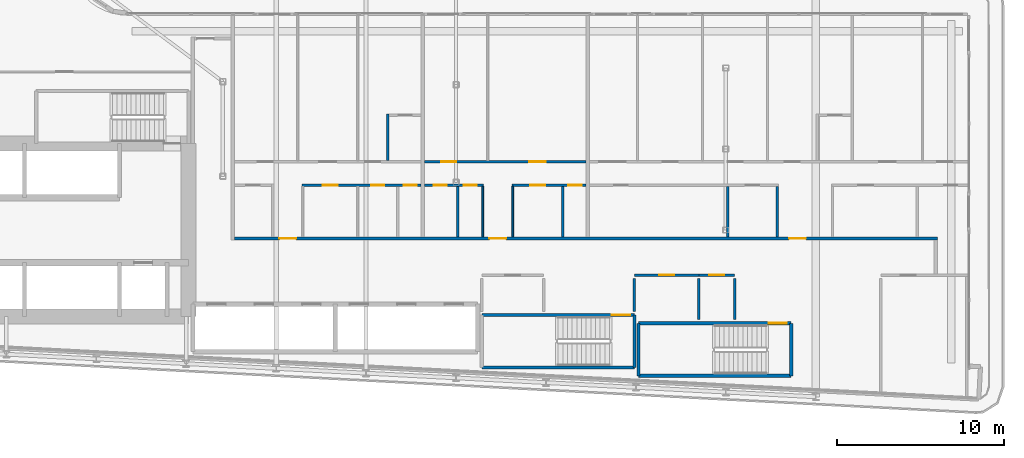
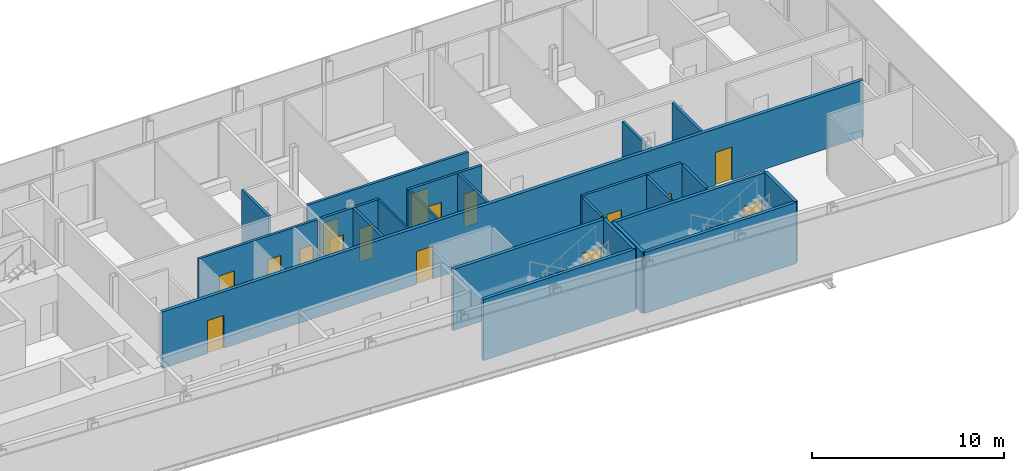
# One storey, part 15 of 27: 24 walls, 16 doors, 16 openings.
"""IFC4 building model written with IfcOpenShell, lengths in metres."""

from ifc_helpers import new_model, si_unit, direction, frame, frame_2d, origin, place, context, subcontext, project, spatial, rectangle, extrude, source, transform, mapped, material, layer, layer_set, type_object, element, fill, save


model = new_model("IFC4")

# Units and contexts
model_context = context("Model", 3, precision=1e-05, world=origin(), true_north=direction((0.0, 1.0)))
body_context = subcontext(model_context, "Body", "Model", "MODEL_VIEW")
ifc_project = project(units=[si_unit("LENGTHUNIT", "METRE"), si_unit("AREAUNIT", "SQUARE_METRE"), si_unit("VOLUMEUNIT", "CUBIC_METRE"), si_unit("PLANEANGLEUNIT", "RADIAN"), si_unit("MASSUNIT", "GRAM", prefix="KILO")], contexts=[model_context])

# Site, building, storey
site_placement = place(None, origin())
site = spatial("IfcSite", under=ifc_project, at=site_placement, CompositionType="ELEMENT")
building_placement = place(site_placement, origin())
building = spatial("IfcBuilding", under=site, at=building_placement, Name="Kheshtan School and Residences Tower", CompositionType="ELEMENT")
storey_placement = place(building_placement, frame((0.0, 0.0, 98.0)))
storey = spatial("IfcBuildingStorey", under=building, at=storey_placement, Name="L22", CompositionType="ELEMENT", Elevation=98.0)

# Wall, openings, doors
ifc_material_1 = material(Name="Gypsum board on steel studs with fire boards", Category="steel")
ifc_layer_1 = layer(ifc_material_1, 0.199951171875)
ifc_layer_set_1 = layer_set([ifc_layer_1], Name="Corridor wall 200")
wall_type_1 = type_object("IfcWallType", Name="Corridor wall 200", PredefinedType="PARTITIONING", material=ifc_layer_set_1)
wall_1_placement = place(storey_placement, frame((55.89990234375, 30.5, 0.0), z_axis=(0.0, 0.0, 1.0), x_axis=(1.0, 0.0, 0.0)))
wall_1 = element("IfcWall", 1, at=wall_1_placement, inside=storey, type_object=wall_type_1, Name="Partition L22-033", PredefinedType="PARTITIONING", context=body_context, shape_type="SweptSolid", body=[
    extrude(rectangle(XDim=42.2001953125, YDim=0.199951171875, at=frame_2d((21.10009765625, 0.0))), origin(), (0.0, 0.0, 1.0), 3.60009765625),
])
opening_1_placement = place(wall_1_placement, frame((2.699951171875, 0.0, 0.0)))
opening_1 = element("IfcOpeningElement", 2, at=opening_1_placement, cuts=wall_1, Name="Opening D21-005", PredefinedType="OPENING", context=body_context, shape_type="SweptSolid", body=[
    extrude(rectangle(XDim=1.0, YDim=2.10009765625, at=frame_2d((0.5, 1.050048828125))), frame((0.0, 0.10986328125, 0.0), z_axis=(0.0, -1.0, 0.0), x_axis=(1.0, 0.0, 0.0)), (0.0, 0.0, 1.0), 0.219970703125),
])
opening_2_placement = place(wall_1_placement, frame((15.300048828125, 0.0, 0.0)))
opening_2 = element("IfcOpeningElement", 3, at=opening_2_placement, cuts=wall_1, Name="Opening D21-012", PredefinedType="OPENING", context=body_context, shape_type="SweptSolid", body=[
    extrude(rectangle(XDim=1.0, YDim=2.10009765625, at=frame_2d((0.5, 1.050048828125))), frame((0.0, 0.10986328125, 0.0), z_axis=(0.0, -1.0, 0.0), x_axis=(1.0, 0.0, 0.0)), (0.0, 0.0, 1.0), 0.219970703125),
])
opening_3_placement = place(wall_1_placement, frame((33.300048828125, 0.0, 0.0)))
opening_3 = element("IfcOpeningElement", 4, at=opening_3_placement, cuts=wall_1, Name="Opening D21-023", PredefinedType="OPENING", context=body_context, shape_type="SweptSolid", body=[
    extrude(rectangle(XDim=1.0, YDim=2.10009765625, at=frame_2d((0.5, 1.050048828125))), frame((0.0, 0.10986328125, 0.0), z_axis=(0.0, -1.0, 0.0), x_axis=(1.0, 0.0, 0.0)), (0.0, 0.0, 1.0), 0.219970703125),
])
ifc_material_2 = material(Name="Steel-framed fire-resisting door leaf", Category="steel")
door_type_1 = type_object("IfcDoorType", Name="Fire door FD30S 1000 x 2100", OperationType="SINGLE_SWING_LEFT", PredefinedType="DOOR", material=ifc_material_2)
shared_shape_1 = source(origin(), body_context, "Body", "SweptSolid", [
    extrude(rectangle(XDim=1.0, YDim=2.10009765625, at=frame_2d((0.5, 1.050048828125))), frame((0.0, 0.02490234375, 0.0), z_axis=(0.0, -1.0, 0.0), x_axis=(1.0, 0.0, 0.0)), (0.0, 0.0, 1.0), 0.050048828125),
])
door_1_placement = place(opening_1_placement, origin())
door_1 = element("IfcDoor", 5, at=door_1_placement, inside=storey, type_object=door_type_1, Name="Door D21-005", OperationType="SINGLE_SWING_LEFT", OverallHeight=2.10009765625, OverallWidth=1.0, PredefinedType="DOOR", context=body_context, shape_type="MappedRepresentation", body=[
    mapped(shared_shape_1, transform((0.0, 0.0, 0.0), x_axis=(1.0, 0.0, 0.0), y_axis=(0.0, 1.0, 0.0), z_axis=(0.0, 0.0, 1.0), scale=1.0)),
])
fill(opening_1, door_1)
door_2_placement = place(opening_2_placement, origin())
door_2 = element("IfcDoor", 6, at=door_2_placement, inside=storey, type_object=door_type_1, Name="Door D21-012", OperationType="SINGLE_SWING_LEFT", OverallHeight=2.10009765625, OverallWidth=1.0, PredefinedType="DOOR", context=body_context, shape_type="MappedRepresentation", body=[
    mapped(shared_shape_1, transform((0.0, 0.0, 0.0), x_axis=(1.0, 0.0, 0.0), y_axis=(0.0, 1.0, 0.0), z_axis=(0.0, 0.0, 1.0), scale=1.0)),
])
fill(opening_2, door_2)
door_3_placement = place(opening_3_placement, origin())
door_3 = element("IfcDoor", 7, at=door_3_placement, inside=storey, type_object=door_type_1, Name="Door D21-023", OperationType="SINGLE_SWING_LEFT", OverallHeight=2.10009765625, OverallWidth=1.0, PredefinedType="DOOR", context=body_context, shape_type="MappedRepresentation", body=[
    mapped(shared_shape_1, transform((0.0, 0.0, 0.0), x_axis=(1.0, 0.0, 0.0), y_axis=(0.0, 1.0, 0.0), z_axis=(0.0, 0.0, 1.0), scale=1.0)),
])
fill(opening_3, door_3)

# Walls
ifc_material_3 = material(Name="Gypsum board on steel studs", Category="steel")
ifc_layer_2 = layer(ifc_material_3, 0.10009765625)
ifc_layer_set_2 = layer_set([ifc_layer_2], Name="Gypsum partition 100")
wall_type_2 = type_object("IfcWallType", Name="Gypsum partition 100", PredefinedType="PARTITIONING", material=ifc_layer_set_2)
for number, where, z_axis, x_axis, name in (
    (8, (70.800048828125, 30.60009765625, 0.0), (0.0, 0.0, 1.0), (0.0, 1.0, 0.0), "Partition L22-049"),
    (9, (72.60009765625, 30.60009765625, 0.0), (0.0, 0.0, 1.0), (0.0, 1.0, 0.0), "Partition L22-052"),
):
    element("IfcWall", number, at=place(storey_placement, frame(where, z_axis=z_axis, x_axis=x_axis)), inside=storey, type_object=wall_type_2, Name=name, PredefinedType="PARTITIONING", context=body_context, shape_type="SweptSolid", body=[
        extrude(rectangle(XDim=3.02490234375, YDim=0.10009765625, at=frame_2d((1.512451171875, 0.0))), origin(), (0.0, 0.0, 1.0), 3.60009765625),
    ])

# Wall, opening, door
ifc_material_4 = material(Name="Fire-board shaft wall system")
ifc_layer_3 = layer(ifc_material_4, 0.14990234375)
ifc_layer_set_3 = layer_set([ifc_layer_3], Name="Service room wall 150")
wall_type_3 = type_object("IfcWallType", Name="Service room wall 150", PredefinedType="PARTITIONING", material=ifc_layer_set_3)
wall_2_placement = place(storey_placement, frame((79.909912109375, 28.300048828125, 0.0), z_axis=(0.0, 0.0, 1.0), x_axis=(1.0, 0.0, 0.0)))
wall_2 = element("IfcWall", 10, at=wall_2_placement, inside=storey, type_object=wall_type_3, Name="Service room wall", PredefinedType="PARTITIONING", context=body_context, shape_type="SweptSolid", body=[
    extrude(rectangle(XDim=3.864990234375, YDim=0.14990234375, at=frame_2d((1.9326171875, 0.0))), origin(), (0.0, 0.0, 1.0), 3.89990234375),
])
opening_4_placement = place(wall_2_placement, frame((1.48193359375, 0.0, 0.0)))
opening_4 = element("IfcOpeningElement", 11, at=opening_4_placement, cuts=wall_2, Name="Opening SR90", PredefinedType="OPENING", context=body_context, shape_type="SweptSolid", body=[
    extrude(rectangle(XDim=0.89990234375, YDim=2.199951171875, at=frame_2d((0.449951171875, 1.10009765625))), frame((0.0, 0.0849609375, 0.0), z_axis=(0.0, -1.0, 0.0), x_axis=(1.0, 0.0, 0.0)), (0.0, 0.0, 1.0), 0.169921875),
])
ifc_material_5 = material(Name="Steel door leaf, galvanised", Category="steel")
door_type_2 = type_object("IfcDoorType", Name="Service room door 900 steel 90 min", OperationType="SINGLE_SWING_LEFT", PredefinedType="DOOR", material=ifc_material_5)
shared_shape_2 = source(origin(), body_context, "Body", "SweptSolid", [
    extrude(rectangle(XDim=0.89990234375, YDim=2.199951171875, at=frame_2d((0.449951171875, 1.10009765625))), frame((0.0, 0.02490234375, 0.0), z_axis=(0.0, -1.0, 0.0), x_axis=(1.0, 0.0, 0.0)), (0.0, 0.0, 1.0), 0.050048828125),
])
door_4_placement = place(opening_4_placement, origin())
door_4 = element("IfcDoor", 12, at=door_4_placement, inside=storey, type_object=door_type_2, Name="Service room door", OperationType="SINGLE_SWING_RIGHT", OverallHeight=2.199951171875, OverallWidth=0.89990234375, PredefinedType="DOOR", context=body_context, shape_type="MappedRepresentation", body=[
    mapped(shared_shape_2, transform((0.0, 0.0, 0.0), x_axis=(1.0, 0.0, 0.0), y_axis=(0.0, 1.0, 0.0), z_axis=(0.0, 0.0, 1.0), scale=1.0)),
])
fill(opening_4, door_4)

# Walls
wall_3_placement = place(storey_placement, frame((79.909912109375, 26.1201171875, 0.0), z_axis=(0.0, 0.0, 1.0), x_axis=(0.0, 1.0, 0.0)))
element("IfcWall", 13, at=wall_3_placement, inside=storey, type_object=wall_type_3, Name="Service room wall", PredefinedType="PARTITIONING", context=body_context, shape_type="SweptSolid", body=[
    extrude(rectangle(XDim=1.98486328125, YDim=0.14990234375, at=frame_2d((0.992431640625, 0.0))), origin(), (0.0, 0.0, 1.0), 3.89990234375),
])
wall_4_placement = place(storey_placement, frame((83.77490234375, 25.6201171875, 0.0), z_axis=(0.0, 0.0, 1.0), x_axis=(0.0, 1.0, 0.0)))
element("IfcWall", 14, at=wall_4_placement, inside=storey, type_object=wall_type_3, Name="Service room wall", PredefinedType="PARTITIONING", context=body_context, shape_type="SweptSolid", body=[
    extrude(rectangle(XDim=2.48486328125, YDim=0.14990234375, at=frame_2d((1.242431640625, 0.0))), origin(), (0.0, 0.0, 1.0), 3.89990234375),
])

# Wall, opening, door
wall_5_placement = place(storey_placement, frame((83.77490234375, 28.300048828125, 0.0), z_axis=(0.0, 0.0, 1.0), x_axis=(1.0, 0.0, 0.0)))
wall_5 = element("IfcWall", 15, at=wall_5_placement, inside=storey, type_object=wall_type_3, Name="Service room wall", PredefinedType="PARTITIONING", context=body_context, shape_type="SweptSolid", body=[
    extrude(rectangle(XDim=2.14501953125, YDim=0.14990234375, at=frame_2d((1.072509765625, 0.0))), origin(), (0.0, 0.0, 1.0), 3.89990234375),
])
opening_5_placement = place(wall_5_placement, frame((0.623046875, 0.0, 0.0)))
opening_5 = element("IfcOpeningElement", 16, at=opening_5_placement, cuts=wall_5, Name="Opening SR90", PredefinedType="OPENING", context=body_context, shape_type="SweptSolid", body=[
    extrude(rectangle(XDim=0.89990234375, YDim=2.199951171875, at=frame_2d((0.449951171875, 1.10009765625))), frame((0.0, 0.0849609375, 0.0), z_axis=(0.0, -1.0, 0.0), x_axis=(1.0, 0.0, 0.0)), (0.0, 0.0, 1.0), 0.169921875),
])
door_5_placement = place(opening_5_placement, origin())
door_5 = element("IfcDoor", 17, at=door_5_placement, inside=storey, type_object=door_type_2, Name="Service room door", OperationType="SINGLE_SWING_LEFT", OverallHeight=2.199951171875, OverallWidth=0.89990234375, PredefinedType="DOOR", context=body_context, shape_type="MappedRepresentation", body=[
    mapped(shared_shape_2, transform((0.0, 0.0, 0.0), x_axis=(1.0, 0.0, 0.0), y_axis=(0.0, 1.0, 0.0), z_axis=(0.0, 0.0, 1.0), scale=1.0)),
])
fill(opening_5, door_5)

# Walls
wall_6_placement = place(storey_placement, frame((85.919921875, 25.6201171875, 0.0), z_axis=(0.0, 0.0, 1.0), x_axis=(0.0, 1.0, 0.0)))
element("IfcWall", 18, at=wall_6_placement, inside=storey, type_object=wall_type_3, Name="Service room wall", PredefinedType="PARTITIONING", context=body_context, shape_type="SweptSolid", body=[
    extrude(rectangle(XDim=2.48486328125, YDim=0.14990234375, at=frame_2d((1.242431640625, 0.0))), origin(), (0.0, 0.0, 1.0), 3.89990234375),
])
ifc_material_6 = material(Name="Concrete C40/50", Category="concrete")
ifc_layer_4 = layer(ifc_material_6, 0.199951171875)
ifc_layer_set_4 = layer_set([ifc_layer_4], Name="Stair enclosure wall 200 Concrete C40/50")
wall_type_4 = type_object("IfcWallType", Name="Stair enclosure wall 200 Concrete C40/50", PredefinedType="SHEAR", material=ifc_layer_set_4)
wall_7_placement = place(storey_placement, frame((80.159912109375, 22.25, 0.0), z_axis=(0.0, 0.0, 1.0), x_axis=(1.0, 0.0, 0.0)))
element("IfcWall", 19, at=wall_7_placement, inside=storey, type_object=wall_type_4, Name="Stair enclosure wall ST4", PredefinedType="SHEAR", context=body_context, shape_type="SweptSolid", body=[
    extrude(rectangle(XDim=9.16015625, YDim=0.199951171875, at=frame_2d((4.580078125, 0.0))), origin(), (0.0, 0.0, 1.0), 3.89990234375),
])

# Wall, opening, door
wall_8_placement = place(storey_placement, frame((80.159912109375, 25.39990234375, 0.0), z_axis=(0.0, 0.0, 1.0), x_axis=(1.0, 0.0, 0.0)))
wall_8 = element("IfcWall", 20, at=wall_8_placement, inside=storey, type_object=wall_type_4, Name="Stair enclosure wall ST4", PredefinedType="SHEAR", context=body_context, shape_type="SweptSolid", body=[
    extrude(rectangle(XDim=9.16015625, YDim=0.199951171875, at=frame_2d((4.580078125, 0.0))), origin(), (0.0, 0.0, 1.0), 3.89990234375),
])
opening_6_placement = place(wall_8_placement, frame((7.81005859375, 0.0, 0.0)))
opening_6 = element("IfcOpeningElement", 21, at=opening_6_placement, cuts=wall_8, Name="Opening ST4D", PredefinedType="OPENING", context=body_context, shape_type="SweptSolid", body=[
    extrude(rectangle(XDim=1.10009765625, YDim=2.199951171875, at=frame_2d((0.550048828125, 1.10009765625))), frame((0.0, 0.10986328125, 0.0), z_axis=(0.0, -1.0, 0.0), x_axis=(1.0, 0.0, 0.0)), (0.0, 0.0, 1.0), 0.219970703125),
])
door_type_3 = type_object("IfcDoorType", Name="Stair door 1100 steel 90 min", OperationType="SINGLE_SWING_LEFT", PredefinedType="DOOR", material=ifc_material_5)
shared_shape_3 = source(origin(), body_context, "Body", "SweptSolid", [
    extrude(rectangle(XDim=1.10009765625, YDim=2.199951171875, at=frame_2d((0.550048828125, 1.10009765625))), frame((0.0, 0.02490234375, 0.0), z_axis=(0.0, -1.0, 0.0), x_axis=(1.0, 0.0, 0.0)), (0.0, 0.0, 1.0), 0.050048828125),
])
door_6_placement = place(opening_6_placement, origin())
door_6 = element("IfcDoor", 22, at=door_6_placement, inside=storey, type_object=door_type_3, Name="Stair ST4 door", OperationType="SINGLE_SWING_LEFT", OverallHeight=2.199951171875, OverallWidth=1.10009765625, PredefinedType="DOOR", context=body_context, shape_type="MappedRepresentation", body=[
    mapped(shared_shape_3, transform((0.0, 0.0, 0.0), x_axis=(1.0, 0.0, 0.0), y_axis=(0.0, 1.0, 0.0), z_axis=(0.0, 0.0, 1.0), scale=1.0)),
])
fill(opening_6, door_6)

# Walls
for number, where, z_axis, x_axis, name in (
    (23, (80.159912109375, 22.25, 0.0), (0.0, 0.0, 1.0), (0.0, 1.0, 0.0), "Stair enclosure wall ST4"),
    (24, (89.320068359375, 22.25, 0.0), (0.0, 0.0, 1.0), (0.0, 1.0, 0.0), "Stair enclosure wall ST4"),
):
    element("IfcWall", number, at=place(storey_placement, frame(where, z_axis=z_axis, x_axis=x_axis)), inside=storey, type_object=wall_type_4, Name=name, PredefinedType="SHEAR", context=body_context, shape_type="SweptSolid", body=[
        extrude(rectangle(XDim=3.14990234375, YDim=0.199951171875, at=frame_2d((1.574951171875, 0.0))), origin(), (0.0, 0.0, 1.0), 3.89990234375),
    ])
wall_9_placement = place(storey_placement, frame((70.75, 22.75, 0.0), z_axis=(0.0, 0.0, 1.0), x_axis=(1.0, 0.0, 0.0)))
element("IfcWall", 25, at=wall_9_placement, inside=storey, type_object=wall_type_4, Name="Stair enclosure wall ST5", PredefinedType="SHEAR", context=body_context, shape_type="SweptSolid", body=[
    extrude(rectangle(XDim=9.159912109375, YDim=0.199951171875, at=frame_2d((4.580078125, 0.0))), origin(), (0.0, 0.0, 1.0), 3.89990234375),
])

# Wall, opening, door
wall_10_placement = place(storey_placement, frame((70.75, 25.89990234375, 0.0), z_axis=(0.0, 0.0, 1.0), x_axis=(1.0, 0.0, 0.0)))
wall_10 = element("IfcWall", 26, at=wall_10_placement, inside=storey, type_object=wall_type_4, Name="Stair enclosure wall ST5", PredefinedType="SHEAR", context=body_context, shape_type="SweptSolid", body=[
    extrude(rectangle(XDim=9.159912109375, YDim=0.199951171875, at=frame_2d((4.580078125, 0.0))), origin(), (0.0, 0.0, 1.0), 3.89990234375),
])
opening_7_placement = place(wall_10_placement, frame((7.81005859375, 0.0, 0.0)))
opening_7 = element("IfcOpeningElement", 27, at=opening_7_placement, cuts=wall_10, Name="Opening ST5D", PredefinedType="OPENING", context=body_context, shape_type="SweptSolid", body=[
    extrude(rectangle(XDim=1.10009765625, YDim=2.199951171875, at=frame_2d((0.550048828125, 1.10009765625))), frame((0.0, 0.10986328125, 0.0), z_axis=(0.0, -1.0, 0.0), x_axis=(1.0, 0.0, 0.0)), (0.0, 0.0, 1.0), 0.219970703125),
])
door_7_placement = place(opening_7_placement, origin())
door_7 = element("IfcDoor", 28, at=door_7_placement, inside=storey, type_object=door_type_3, Name="Stair ST5 door", OperationType="SINGLE_SWING_LEFT", OverallHeight=2.199951171875, OverallWidth=1.10009765625, PredefinedType="DOOR", context=body_context, shape_type="MappedRepresentation", body=[
    mapped(shared_shape_3, transform((0.0, 0.0, 0.0), x_axis=(1.0, 0.0, 0.0), y_axis=(0.0, 1.0, 0.0), z_axis=(0.0, 0.0, 1.0), scale=1.0)),
])
fill(opening_7, door_7)

# Wall
wall_11_placement = place(storey_placement, frame((79.909912109375, 22.75, 0.0), z_axis=(0.0, 0.0, 1.0), x_axis=(0.0, 1.0, 0.0)))
element("IfcWall", 29, at=wall_11_placement, inside=storey, type_object=wall_type_4, Name="Stair enclosure wall ST5", PredefinedType="SHEAR", context=body_context, shape_type="SweptSolid", body=[
    extrude(rectangle(XDim=3.14990234375, YDim=0.199951171875, at=frame_2d((1.574951171875, 0.0))), origin(), (0.0, 0.0, 1.0), 3.89990234375),
])

# Wall, openings, doors
ifc_material_7 = material(Name="Moisture-resistant gypsum board on steel studs", Category="steel")
ifc_layer_5 = layer(ifc_material_7, 0.14990234375)
ifc_layer_set_5 = layer_set([ifc_layer_5], Name="Wet-room partition 150")
wall_type_5 = type_object("IfcWallType", Name="Wet-room partition 150", PredefinedType="PARTITIONING", material=ifc_layer_set_5)
wall_12_placement = place(storey_placement, frame((59.949951171875, 33.699951171875, 0.0), z_axis=(0.0, 0.0, 1.0), x_axis=(1.0, 0.0, 0.0)))
wall_12 = element("IfcWall", 30, at=wall_12_placement, inside=storey, type_object=wall_type_5, Name="Partition L22-038", PredefinedType="PARTITIONING", context=body_context, shape_type="SweptSolid", body=[
    extrude(rectangle(XDim=7.150146484375, YDim=0.14990234375, at=frame_2d((3.5751953125, 0.0))), origin(), (0.0, 0.0, 1.0), 3.60009765625),
])
opening_8_placement = place(wall_12_placement, frame((4.14990234375, 0.0, 0.0)))
opening_8 = element("IfcOpeningElement", 31, at=opening_8_placement, cuts=wall_12, Name="Opening D21-003", PredefinedType="OPENING", context=body_context, shape_type="SweptSolid", body=[
    extrude(rectangle(XDim=0.800048828125, YDim=2.10009765625, at=frame_2d((0.39990234375, 1.050048828125))), frame((0.0, 0.0849609375, 0.0), z_axis=(0.0, -1.0, 0.0), x_axis=(1.0, 0.0, 0.0)), (0.0, 0.0, 1.0), 0.169921875),
])
opening_9_placement = place(wall_12_placement, frame((1.25, 0.0, 0.0)))
opening_9 = element("IfcOpeningElement", 32, at=opening_9_placement, cuts=wall_12, Name="Opening D21-006", PredefinedType="OPENING", context=body_context, shape_type="SweptSolid", body=[
    extrude(rectangle(XDim=0.89990234375, YDim=2.10009765625, at=frame_2d((0.449951171875, 1.050048828125))), frame((0.0, 0.0849609375, 0.0), z_axis=(0.0, -1.0, 0.0), x_axis=(1.0, 0.0, 0.0)), (0.0, 0.0, 1.0), 0.169921875),
])
opening_10_placement = place(wall_12_placement, frame((6.10009765625, 0.0, 0.0)))
opening_10 = element("IfcOpeningElement", 33, at=opening_10_placement, cuts=wall_12, Name="Opening D21-009", PredefinedType="OPENING", context=body_context, shape_type="SweptSolid", body=[
    extrude(rectangle(XDim=0.800048828125, YDim=2.10009765625, at=frame_2d((0.39990234375, 1.050048828125))), frame((0.0, 0.0849609375, 0.0), z_axis=(0.0, -1.0, 0.0), x_axis=(1.0, 0.0, 0.0)), (0.0, 0.0, 1.0), 0.169921875),
])
ifc_material_8 = material(Name="Veneered timber door leaf", Category="wood")
door_type_4 = type_object("IfcDoorType", Name="Door 800 x 2100", OperationType="SINGLE_SWING_LEFT", PredefinedType="DOOR", material=ifc_material_8)
shared_shape_4 = source(origin(), body_context, "Body", "SweptSolid", [
    extrude(rectangle(XDim=0.800048828125, YDim=2.10009765625, at=frame_2d((0.39990234375, 1.050048828125))), frame((0.0, 0.02490234375, 0.0), z_axis=(0.0, -1.0, 0.0), x_axis=(1.0, 0.0, 0.0)), (0.0, 0.0, 1.0), 0.050048828125),
])
door_8_placement = place(opening_8_placement, origin())
door_8 = element("IfcDoor", 34, at=door_8_placement, inside=storey, type_object=door_type_4, Name="Door D21-003", OperationType="SINGLE_SWING_LEFT", OverallHeight=2.10009765625, OverallWidth=0.800048828125, PredefinedType="DOOR", context=body_context, shape_type="MappedRepresentation", body=[
    mapped(shared_shape_4, transform((0.0, 0.0, 0.0), x_axis=(1.0, 0.0, 0.0), y_axis=(0.0, 1.0, 0.0), z_axis=(0.0, 0.0, 1.0), scale=1.0)),
])
fill(opening_8, door_8)
door_9_placement = place(opening_10_placement, origin())
door_9 = element("IfcDoor", 35, at=door_9_placement, inside=storey, type_object=door_type_4, Name="Door D21-009", OperationType="SINGLE_SWING_RIGHT", OverallHeight=2.10009765625, OverallWidth=0.800048828125, PredefinedType="DOOR", context=body_context, shape_type="MappedRepresentation", body=[
    mapped(shared_shape_4, transform((0.0, 0.0, 0.0), x_axis=(1.0, 0.0, 0.0), y_axis=(0.0, 1.0, 0.0), z_axis=(0.0, 0.0, 1.0), scale=1.0)),
])
fill(opening_10, door_9)
door_type_5 = type_object("IfcDoorType", Name="Door 900 x 2100", OperationType="SINGLE_SWING_LEFT", PredefinedType="DOOR", material=ifc_material_8)
shared_shape_5 = source(origin(), body_context, "Body", "SweptSolid", [
    extrude(rectangle(XDim=0.89990234375, YDim=2.10009765625, at=frame_2d((0.449951171875, 1.050048828125))), frame((0.0, 0.02490234375, 0.0), z_axis=(0.0, -1.0, 0.0), x_axis=(1.0, 0.0, 0.0)), (0.0, 0.0, 1.0), 0.050048828125),
])
door_10_placement = place(opening_9_placement, origin())
door_10 = element("IfcDoor", 36, at=door_10_placement, inside=storey, type_object=door_type_5, Name="Door D21-006", OperationType="SINGLE_SWING_LEFT", OverallHeight=2.10009765625, OverallWidth=0.89990234375, PredefinedType="DOOR", context=body_context, shape_type="MappedRepresentation", body=[
    mapped(shared_shape_5, transform((0.0, 0.0, 0.0), x_axis=(1.0, 0.0, 0.0), y_axis=(0.0, 1.0, 0.0), z_axis=(0.0, 0.0, 1.0), scale=1.0)),
])
fill(opening_9, door_10)

# Wall
wall_13_placement = place(storey_placement, frame((65.10009765625, 35.175048828125, 0.0), z_axis=(0.0, 0.0, 1.0), x_axis=(0.0, 1.0, 0.0)))
element("IfcWall", 37, at=wall_13_placement, inside=storey, type_object=wall_type_5, Name="Partition L22-042", PredefinedType="PARTITIONING", context=body_context, shape_type="SweptSolid", body=[
    extrude(rectangle(XDim=2.800048828125, YDim=0.14990234375, at=frame_2d((1.39990234375, 0.0))), origin(), (0.0, 0.0, 1.0), 3.60009765625),
])

# Wall, openings, doors
wall_14_placement = place(storey_placement, frame((67.300048828125, 33.699951171875, 0.0), z_axis=(0.0, 0.0, 1.0), x_axis=(1.0, 0.0, 0.0)))
wall_14 = element("IfcWall", 38, at=wall_14_placement, inside=storey, type_object=wall_type_5, Name="Partition L22-046", PredefinedType="PARTITIONING", context=body_context, shape_type="SweptSolid", body=[
    extrude(rectangle(XDim=3.550048828125, YDim=0.14990234375, at=frame_2d((1.77490234375, 0.0))), origin(), (0.0, 0.0, 1.0), 3.60009765625),
])
opening_11_placement = place(wall_14_placement, frame((0.550048828125, 0.0, 0.0)))
opening_11 = element("IfcOpeningElement", 39, at=opening_11_placement, cuts=wall_14, Name="Opening D21-010", PredefinedType="OPENING", context=body_context, shape_type="SweptSolid", body=[
    extrude(rectangle(XDim=0.800048828125, YDim=2.10009765625, at=frame_2d((0.39990234375, 1.050048828125))), frame((0.0, 0.0849609375, 0.0), z_axis=(0.0, -1.0, 0.0), x_axis=(1.0, 0.0, 0.0)), (0.0, 0.0, 1.0), 0.169921875),
])
opening_12_placement = place(wall_14_placement, frame((2.35009765625, 0.0, 0.0)))
opening_12 = element("IfcOpeningElement", 40, at=opening_12_placement, cuts=wall_14, Name="Opening D21-015", PredefinedType="OPENING", context=body_context, shape_type="SweptSolid", body=[
    extrude(rectangle(XDim=0.800048828125, YDim=2.10009765625, at=frame_2d((0.39990234375, 1.050048828125))), frame((0.0, 0.0849609375, 0.0), z_axis=(0.0, -1.0, 0.0), x_axis=(1.0, 0.0, 0.0)), (0.0, 0.0, 1.0), 0.169921875),
])
door_11_placement = place(opening_11_placement, origin())
door_11 = element("IfcDoor", 41, at=door_11_placement, inside=storey, type_object=door_type_4, Name="Door D21-010", OperationType="SINGLE_SWING_LEFT", OverallHeight=2.10009765625, OverallWidth=0.800048828125, PredefinedType="DOOR", context=body_context, shape_type="MappedRepresentation", body=[
    mapped(shared_shape_4, transform((0.0, 0.0, 0.0), x_axis=(1.0, 0.0, 0.0), y_axis=(0.0, 1.0, 0.0), z_axis=(0.0, 0.0, 1.0), scale=1.0)),
])
fill(opening_11, door_11)
door_12_placement = place(opening_12_placement, origin())
door_12 = element("IfcDoor", 42, at=door_12_placement, inside=storey, type_object=door_type_4, Name="Door D21-015", OperationType="SINGLE_SWING_LEFT", OverallHeight=2.10009765625, OverallWidth=0.800048828125, PredefinedType="DOOR", context=body_context, shape_type="MappedRepresentation", body=[
    mapped(shared_shape_4, transform((0.0, 0.0, 0.0), x_axis=(1.0, 0.0, 0.0), y_axis=(0.0, 1.0, 0.0), z_axis=(0.0, 0.0, 1.0), scale=1.0)),
])
fill(opening_12, door_12)

wall_15_placement = place(storey_placement, frame((67.300048828125, 35.10009765625, 0.0), z_axis=(0.0, 0.0, 1.0), x_axis=(1.0, 0.0, 0.0)))
wall_15 = element("IfcWall", 43, at=wall_15_placement, inside=storey, type_object=wall_type_5, Name="Partition L22-047", PredefinedType="PARTITIONING", context=body_context, shape_type="SweptSolid", body=[
    extrude(rectangle(XDim=9.699951171875, YDim=0.14990234375, at=frame_2d((4.85009765625, 0.0))), origin(), (0.0, 0.0, 1.0), 3.60009765625),
])
opening_13_placement = place(wall_15_placement, frame((1.0, 0.0, 0.0)))
opening_13 = element("IfcOpeningElement", 44, at=opening_13_placement, cuts=wall_15, Name="Opening D21-011", PredefinedType="OPENING", context=body_context, shape_type="SweptSolid", body=[
    extrude(rectangle(XDim=0.89990234375, YDim=2.10009765625, at=frame_2d((0.449951171875, 1.050048828125))), frame((0.0, 0.0849609375, 0.0), z_axis=(0.0, -1.0, 0.0), x_axis=(1.0, 0.0, 0.0)), (0.0, 0.0, 1.0), 0.169921875),
])
opening_14_placement = place(wall_15_placement, frame((6.300048828125, 0.0, 0.0)))
opening_14 = element("IfcOpeningElement", 45, at=opening_14_placement, cuts=wall_15, Name="Opening D21-014", PredefinedType="OPENING", context=body_context, shape_type="SweptSolid", body=[
    extrude(rectangle(XDim=1.0, YDim=2.10009765625, at=frame_2d((0.5, 1.050048828125))), frame((0.0, 0.0849609375, 0.0), z_axis=(0.0, -1.0, 0.0), x_axis=(1.0, 0.0, 0.0)), (0.0, 0.0, 1.0), 0.169921875),
])
door_type_6 = type_object("IfcDoorType", Name="Door 1000 x 2100", OperationType="SINGLE_SWING_LEFT", PredefinedType="DOOR", material=ifc_material_8)
shared_shape_6 = source(origin(), body_context, "Body", "SweptSolid", [
    extrude(rectangle(XDim=1.0, YDim=2.10009765625, at=frame_2d((0.5, 1.050048828125))), frame((0.0, 0.02490234375, 0.0), z_axis=(0.0, -1.0, 0.0), x_axis=(1.0, 0.0, 0.0)), (0.0, 0.0, 1.0), 0.050048828125),
])
door_13_placement = place(opening_14_placement, origin())
door_13 = element("IfcDoor", 46, at=door_13_placement, inside=storey, type_object=door_type_6, Name="Door D21-014", OperationType="SINGLE_SWING_RIGHT", OverallHeight=2.10009765625, OverallWidth=1.0, PredefinedType="DOOR", context=body_context, shape_type="MappedRepresentation", body=[
    mapped(shared_shape_6, transform((0.0, 0.0, 0.0), x_axis=(1.0, 0.0, 0.0), y_axis=(0.0, 1.0, 0.0), z_axis=(0.0, 0.0, 1.0), scale=1.0)),
])
fill(opening_14, door_13)
door_14_placement = place(opening_13_placement, origin())
door_14 = element("IfcDoor", 47, at=door_14_placement, inside=storey, type_object=door_type_5, Name="Door D21-011", OperationType="SINGLE_SWING_RIGHT", OverallHeight=2.10009765625, OverallWidth=0.89990234375, PredefinedType="DOOR", context=body_context, shape_type="MappedRepresentation", body=[
    mapped(shared_shape_5, transform((0.0, 0.0, 0.0), x_axis=(1.0, 0.0, 0.0), y_axis=(0.0, 1.0, 0.0), z_axis=(0.0, 0.0, 1.0), scale=1.0)),
])
fill(opening_13, door_14)

# Wall
wall_16_placement = place(storey_placement, frame((69.300048828125, 30.60009765625, 0.0), z_axis=(0.0, 0.0, 1.0), x_axis=(0.0, 1.0, 0.0)))
element("IfcWall", 48, at=wall_16_placement, inside=storey, type_object=wall_type_5, Name="Partition L22-048", PredefinedType="PARTITIONING", context=body_context, shape_type="SweptSolid", body=[
    extrude(rectangle(XDim=3.02490234375, YDim=0.14990234375, at=frame_2d((1.512451171875, 0.0))), origin(), (0.0, 0.0, 1.0), 3.60009765625),
])

# Wall, openings, doors
wall_17_placement = place(storey_placement, frame((72.550048828125, 33.699951171875, 0.0), z_axis=(0.0, 0.0, 1.0), x_axis=(1.0, 0.0, 0.0)))
wall_17 = element("IfcWall", 49, at=wall_17_placement, inside=storey, type_object=wall_type_5, Name="Partition L22-051", PredefinedType="PARTITIONING", context=body_context, shape_type="SweptSolid", body=[
    extrude(rectangle(XDim=4.449951171875, YDim=0.14990234375, at=frame_2d((2.22509765625, 0.0))), origin(), (0.0, 0.0, 1.0), 3.60009765625),
])
opening_15_placement = place(wall_17_placement, frame((1.10009765625, 0.0, 0.0)))
opening_15 = element("IfcOpeningElement", 50, at=opening_15_placement, cuts=wall_17, Name="Opening D21-013", PredefinedType="OPENING", context=body_context, shape_type="SweptSolid", body=[
    extrude(rectangle(XDim=0.89990234375, YDim=2.10009765625, at=frame_2d((0.449951171875, 1.050048828125))), frame((0.0, 0.0849609375, 0.0), z_axis=(0.0, -1.0, 0.0), x_axis=(1.0, 0.0, 0.0)), (0.0, 0.0, 1.0), 0.169921875),
])
opening_16_placement = place(wall_17_placement, frame((3.39990234375, 0.0, 0.0)))
opening_16 = element("IfcOpeningElement", 51, at=opening_16_placement, cuts=wall_17, Name="Opening D21-016", PredefinedType="OPENING", context=body_context, shape_type="SweptSolid", body=[
    extrude(rectangle(XDim=0.800048828125, YDim=2.10009765625, at=frame_2d((0.39990234375, 1.050048828125))), frame((0.0, 0.0849609375, 0.0), z_axis=(0.0, -1.0, 0.0), x_axis=(1.0, 0.0, 0.0)), (0.0, 0.0, 1.0), 0.169921875),
])
door_15_placement = place(opening_16_placement, origin())
door_15 = element("IfcDoor", 52, at=door_15_placement, inside=storey, type_object=door_type_4, Name="Door D21-016", OperationType="SINGLE_SWING_LEFT", OverallHeight=2.10009765625, OverallWidth=0.800048828125, PredefinedType="DOOR", context=body_context, shape_type="MappedRepresentation", body=[
    mapped(shared_shape_4, transform((0.0, 0.0, 0.0), x_axis=(1.0, 0.0, 0.0), y_axis=(0.0, 1.0, 0.0), z_axis=(0.0, 0.0, 1.0), scale=1.0)),
])
fill(opening_16, door_15)
door_16_placement = place(opening_15_placement, origin())
door_16 = element("IfcDoor", 53, at=door_16_placement, inside=storey, type_object=door_type_5, Name="Door D21-013", OperationType="SINGLE_SWING_RIGHT", OverallHeight=2.10009765625, OverallWidth=0.89990234375, PredefinedType="DOOR", context=body_context, shape_type="MappedRepresentation", body=[
    mapped(shared_shape_5, transform((0.0, 0.0, 0.0), x_axis=(1.0, 0.0, 0.0), y_axis=(0.0, 1.0, 0.0), z_axis=(0.0, 0.0, 1.0), scale=1.0)),
])
fill(opening_15, door_16)

# Walls
wall_18_placement = place(storey_placement, frame((75.60009765625, 30.60009765625, 0.0), z_axis=(0.0, 0.0, 1.0), x_axis=(0.0, 1.0, 0.0)))
element("IfcWall", 54, at=wall_18_placement, inside=storey, type_object=wall_type_5, Name="Partition L22-053", PredefinedType="PARTITIONING", context=body_context, shape_type="SweptSolid", body=[
    extrude(rectangle(XDim=3.02490234375, YDim=0.14990234375, at=frame_2d((1.512451171875, 0.0))), origin(), (0.0, 0.0, 1.0), 3.60009765625),
])
wall_19_placement = place(storey_placement, frame((85.5, 30.60009765625, 0.0), z_axis=(0.0, 0.0, 1.0), x_axis=(0.0, 1.0, 0.0)))
element("IfcWall", 55, at=wall_19_placement, inside=storey, type_object=wall_type_5, Name="Partition L22-059", PredefinedType="PARTITIONING", context=body_context, shape_type="SweptSolid", body=[
    extrude(rectangle(XDim=3.02490234375, YDim=0.14990234375, at=frame_2d((1.512451171875, 0.0))), origin(), (0.0, 0.0, 1.0), 3.447021484375),
])
wall_20_placement = place(storey_placement, frame((88.5, 30.60009765625, 0.0), z_axis=(0.0, 0.0, 1.0), x_axis=(0.0, 1.0, 0.0)))
element("IfcWall", 56, at=wall_20_placement, inside=storey, type_object=wall_type_5, Name="Partition L22-061", PredefinedType="PARTITIONING", context=body_context, shape_type="SweptSolid", body=[
    extrude(rectangle(XDim=3.02490234375, YDim=0.14990234375, at=frame_2d((1.512451171875, 0.0))), origin(), (0.0, 0.0, 1.0), 3.60009765625),
])

save(model, "model.ifc")
